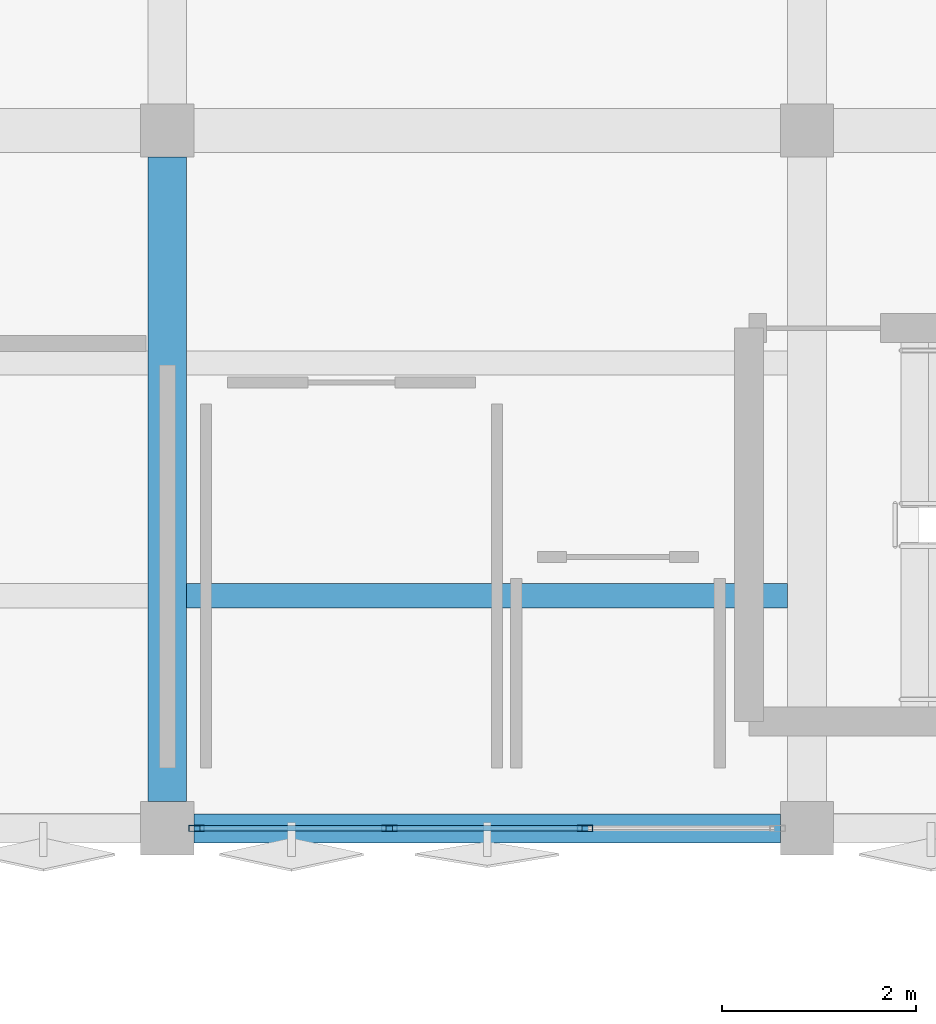
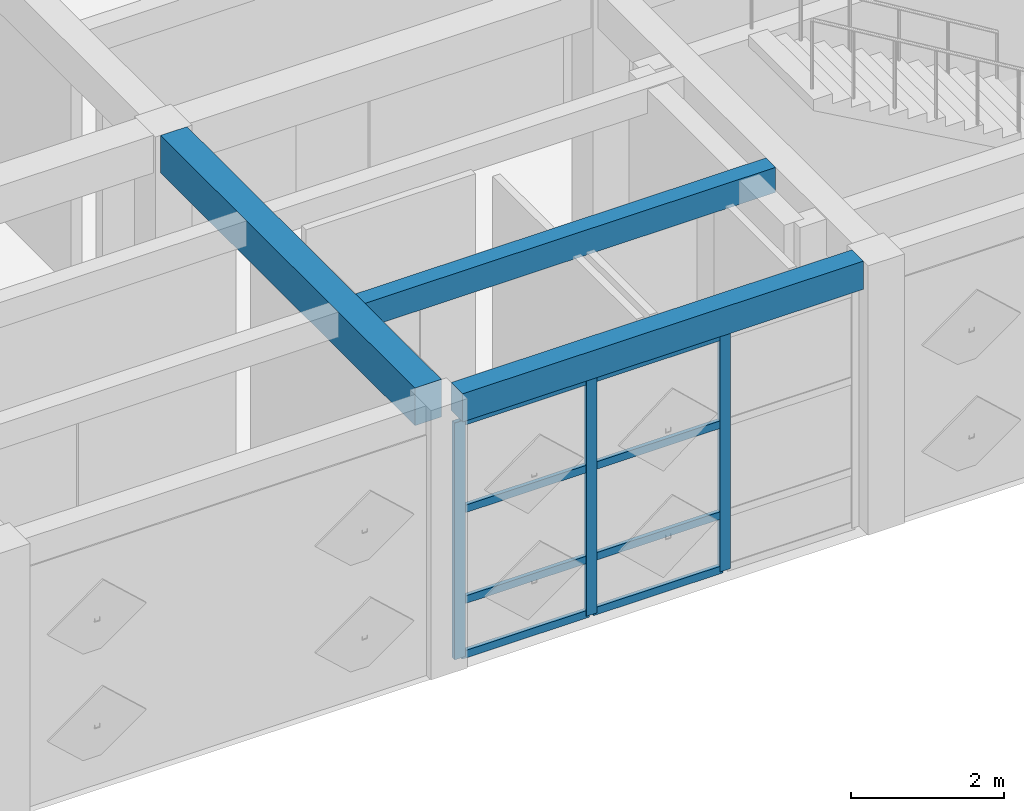
# One storey, part 12 of 36: 11 members, 3 beams, 1 element without a shape of its own.
"""IFC4 building model written with IfcOpenShell, lengths in metres."""

from ifc_helpers import new_model, si_unit, direction, frame, origin, origin_2d, place, context, subcontext, project, spatial, rectangle, hollow_rectangle, extrude, material, layer, layer_set, material_profile, profile_set, type_object, element, aggregate, save


model = new_model("IFC4")

# Units and contexts
model_context = context("Model", 3, precision=1e-05, world=origin(), true_north=direction((0.0, 1.0)))
body_context = subcontext(model_context, "Body", "Model", "MODEL_VIEW")
ifc_project = project(units=[si_unit("LENGTHUNIT", "METRE"), si_unit("AREAUNIT", "SQUARE_METRE"), si_unit("VOLUMEUNIT", "CUBIC_METRE"), si_unit("PLANEANGLEUNIT", "RADIAN"), si_unit("MASSUNIT", "GRAM", prefix="KILO")], contexts=[model_context])

# Site, building, storey
site_placement = place(None, origin())
site = spatial("IfcSite", under=ifc_project, at=site_placement, CompositionType="ELEMENT")
building_placement = place(site_placement, origin())
building = spatial("IfcBuilding", under=site, at=building_placement, Name="Kharisveld Research Institute", CompositionType="ELEMENT")
storey_placement = place(building_placement, frame((0.0, 0.0, 27.60009765625)))
storey = spatial("IfcBuildingStorey", under=building, at=storey_placement, Name="L06", CompositionType="ELEMENT", Elevation=27.60009765625)

# Beam
ifc_material_1 = material(Name="Concrete C40/50", Category="concrete")
ifc_material_profile_1 = material_profile(ifc_material_1, rectangle(XDim=0.39990234375, YDim=0.60009765625, at=origin_2d()))
ifc_profile_set_1 = profile_set([ifc_material_profile_1], Name="Concrete C40/50")
beam_type_1 = type_object("IfcBeamType", Name="BM_RC_400x600", PredefinedType="BEAM", material=ifc_profile_set_1)
beam_1_placement = place(storey_placement, frame((141.0, 39.47509765625, 4.0), z_axis=(0.0, 1.0, 0.0), x_axis=(-1.0, 0.0, 0.0)))
element("IfcBeam", 1, at=beam_1_placement, inside=storey, type_object=beam_type_1, Name="BM:V2:L06:V4_0", PredefinedType="BEAM", context=body_context, shape_type="SweptSolid", body=[
    extrude(rectangle(XDim=0.39990234375, YDim=0.60009765625, at=origin_2d()), origin(), (0.0, 0.0, 1.0), 6.64990234375),
])

# Curtain wall, members
ifc_material_2 = material(Name="Thermally Broken Aluminium Curtain Wall", Category="aluminium")
ifc_layer = layer(ifc_material_2, 0.159912109375)
ifc_layer_set = layer_set([ifc_layer], Name="CW_SYS_06")
curtain_wall_type = type_object("IfcCurtainWallType", Name="CW_SYS_06", PredefinedType="NOTDEFINED", material=ifc_layer_set)
curtain_wall_placement = place(storey_placement, origin())
curtain_wall = element("IfcCurtainWall", 2, at=curtain_wall_placement, inside=storey, type_object=curtain_wall_type, Name="CW:V2:L06:S5", PredefinedType="NOTDEFINED")
ifc_material_3 = material(Name="Anodised Aluminium AW-6063-T6", Category="aluminium")
ifc_material_profile_2 = material_profile(ifc_material_3, hollow_rectangle(XDim=0.06494140625, YDim=0.159912109375, WallThickness=0.00390625, at=origin_2d()))
ifc_profile_set_2 = profile_set([ifc_material_profile_2], Name="Anodised Aluminium AW-6063-T6")
member_type_1 = type_object("IfcMemberType", Name="CW_MUL_160", PredefinedType="MULLION", material=ifc_profile_set_2)
member_1_placement = place(storey_placement, frame((145.31005859375, 39.199951171875, 0.0), z_axis=(0.0, 0.0, 1.0), x_axis=(0.0, -1.0, 0.0)))
member_1 = element("IfcMember", 3, at=member_1_placement, type_object=member_type_1, Name="CW-06 mullion 2", PredefinedType="MULLION", context=body_context, shape_type="SweptSolid", body=[
    extrude(hollow_rectangle(XDim=0.06494140625, YDim=0.159912109375, WallThickness=0.00390625, at=origin_2d()), origin(), (0.0, 0.0, 1.0), 3.77978515625),
])
member_2_placement = place(storey_placement, frame((143.2900390625, 39.199951171875, 0.0), z_axis=(0.0, 0.0, 1.0), x_axis=(0.0, -1.0, 0.0)))
member_2 = element("IfcMember", 4, at=member_2_placement, type_object=member_type_1, Name="CW-06 mullion 3", PredefinedType="MULLION", context=body_context, shape_type="SweptSolid", body=[
    extrude(hollow_rectangle(XDim=0.06494140625, YDim=0.159912109375, WallThickness=0.00390625, at=origin_2d()), origin(), (0.0, 0.0, 1.0), 3.77978515625),
])
member_3_placement = place(storey_placement, frame((141.302490234375, 39.199951171875, 0.0), z_axis=(0.0, 0.0, 1.0), x_axis=(0.0, -1.0, 0.0)))
member_3 = element("IfcMember", 5, at=member_3_placement, type_object=member_type_1, Name="CW-06 mullion 4", PredefinedType="MULLION", context=body_context, shape_type="SweptSolid", body=[
    extrude(hollow_rectangle(XDim=0.06494140625, YDim=0.159912109375, WallThickness=0.00390625, at=origin_2d()), origin(), (0.0, 0.0, 1.0), 3.77978515625),
])
ifc_material_4 = material(Name="Anodised Aluminium AW-6063-T6", Category="aluminium")
ifc_material_profile_3 = material_profile(ifc_material_4, hollow_rectangle(XDim=0.06005859375, YDim=0.1201171875, WallThickness=0.00390625, at=origin_2d()))
ifc_profile_set_3 = profile_set([ifc_material_profile_3], Name="Anodised Aluminium AW-6063-T6")
member_type_2 = type_object("IfcMemberType", Name="CW_TRN_120", PredefinedType="USERDEFINED", material=ifc_profile_set_3)
member_4_placement = place(storey_placement, frame((145.277587890625, 39.199951171875, 0.02978515625), z_axis=(-1.0, 0.0, 0.0), x_axis=(0.0, -1.0, 0.0)))
member_4 = element("IfcMember", 6, at=member_4_placement, type_object=member_type_2, Name="CW-06 transom 2.1", ObjectType="TRANSOM", PredefinedType="USERDEFINED", context=body_context, shape_type="SweptSolid", body=[
    extrude(hollow_rectangle(XDim=0.06005859375, YDim=0.1201171875, WallThickness=0.00390625, at=origin_2d()), origin(), (0.0, 0.0, 1.0), 1.955078125),
])
member_5_placement = place(storey_placement, frame((145.277587890625, 39.199951171875, 0.89990234375), z_axis=(-1.0, 0.0, 0.0), x_axis=(0.0, -1.0, 0.0)))
member_5 = element("IfcMember", 7, at=member_5_placement, type_object=member_type_2, Name="CW-06 transom 2.2", ObjectType="TRANSOM", PredefinedType="USERDEFINED", context=body_context, shape_type="SweptSolid", body=[
    extrude(hollow_rectangle(XDim=0.06005859375, YDim=0.1201171875, WallThickness=0.00390625, at=origin_2d()), origin(), (0.0, 0.0, 1.0), 1.955078125),
])
member_6_placement = place(storey_placement, frame((145.277587890625, 39.199951171875, 2.349853515625), z_axis=(-1.0, 0.0, 0.0), x_axis=(0.0, -1.0, 0.0)))
member_6 = element("IfcMember", 8, at=member_6_placement, type_object=member_type_2, Name="CW-06 transom 2.3", ObjectType="TRANSOM", PredefinedType="USERDEFINED", context=body_context, shape_type="SweptSolid", body=[
    extrude(hollow_rectangle(XDim=0.06005859375, YDim=0.1201171875, WallThickness=0.00390625, at=origin_2d()), origin(), (0.0, 0.0, 1.0), 1.955078125),
])
member_7_placement = place(storey_placement, frame((145.277587890625, 39.199951171875, 3.75), z_axis=(-1.0, 0.0, 0.0), x_axis=(0.0, -1.0, 0.0)))
member_7 = element("IfcMember", 9, at=member_7_placement, type_object=member_type_2, Name="CW-06 transom 2.4", ObjectType="TRANSOM", PredefinedType="USERDEFINED", context=body_context, shape_type="SweptSolid", body=[
    extrude(hollow_rectangle(XDim=0.06005859375, YDim=0.1201171875, WallThickness=0.00390625, at=origin_2d()), origin(), (0.0, 0.0, 1.0), 1.955078125),
])
member_8_placement = place(storey_placement, frame((143.257568359375, 39.199951171875, 0.02978515625), z_axis=(-1.0, 0.0, 0.0), x_axis=(0.0, -1.0, 0.0)))
member_8 = element("IfcMember", 10, at=member_8_placement, type_object=member_type_2, Name="CW-06 transom 3.1", ObjectType="TRANSOM", PredefinedType="USERDEFINED", context=body_context, shape_type="SweptSolid", body=[
    extrude(hollow_rectangle(XDim=0.06005859375, YDim=0.1201171875, WallThickness=0.00390625, at=origin_2d()), origin(), (0.0, 0.0, 1.0), 1.922607421875),
])
member_9_placement = place(storey_placement, frame((143.257568359375, 39.199951171875, 0.89990234375), z_axis=(-1.0, 0.0, 0.0), x_axis=(0.0, -1.0, 0.0)))
member_9 = element("IfcMember", 11, at=member_9_placement, type_object=member_type_2, Name="CW-06 transom 3.2", ObjectType="TRANSOM", PredefinedType="USERDEFINED", context=body_context, shape_type="SweptSolid", body=[
    extrude(hollow_rectangle(XDim=0.06005859375, YDim=0.1201171875, WallThickness=0.00390625, at=origin_2d()), origin(), (0.0, 0.0, 1.0), 1.922607421875),
])
member_10_placement = place(storey_placement, frame((143.257568359375, 39.199951171875, 2.349853515625), z_axis=(-1.0, 0.0, 0.0), x_axis=(0.0, -1.0, 0.0)))
member_10 = element("IfcMember", 12, at=member_10_placement, type_object=member_type_2, Name="CW-06 transom 3.3", ObjectType="TRANSOM", PredefinedType="USERDEFINED", context=body_context, shape_type="SweptSolid", body=[
    extrude(hollow_rectangle(XDim=0.06005859375, YDim=0.1201171875, WallThickness=0.00390625, at=origin_2d()), origin(), (0.0, 0.0, 1.0), 1.922607421875),
])
member_11_placement = place(storey_placement, frame((143.257568359375, 39.199951171875, 3.75), z_axis=(-1.0, 0.0, 0.0), x_axis=(0.0, -1.0, 0.0)))
member_11 = element("IfcMember", 13, at=member_11_placement, type_object=member_type_2, Name="CW-06 transom 3.4", ObjectType="TRANSOM", PredefinedType="USERDEFINED", context=body_context, shape_type="SweptSolid", body=[
    extrude(hollow_rectangle(XDim=0.06005859375, YDim=0.1201171875, WallThickness=0.00390625, at=origin_2d()), origin(), (0.0, 0.0, 1.0), 1.922607421875),
])
aggregate(curtain_wall, [member_1, member_2, member_3, member_4, member_5, member_6, member_7, member_8, member_9, member_10, member_11])

# Beams
ifc_material_5 = material(Name="Concrete C40/50", Category="concrete")
ifc_material_profile_4 = material_profile(ifc_material_5, rectangle(XDim=0.300048828125, YDim=0.449951171875, at=origin_2d()))
ifc_profile_set_4 = profile_set([ifc_material_profile_4], Name="Concrete C40/50")
beam_type_2 = type_object("IfcBeamType", Name="SP_RC_300x450", PredefinedType="SPANDREL", material=ifc_profile_set_4)
beam_2_placement = place(storey_placement, frame((141.27490234375, 39.199951171875, 4.074951171875), z_axis=(1.0, 0.0, 0.0), x_axis=(0.0, 1.0, 0.0)))
element("IfcBeam", 14, at=beam_2_placement, inside=storey, type_object=beam_type_2, Name="BM:V2:L06:U4_0", PredefinedType="SPANDREL", context=body_context, shape_type="SweptSolid", body=[
    extrude(rectangle(XDim=0.300048828125, YDim=0.449951171875, at=origin_2d()), origin(), (0.0, 0.0, 1.0), 6.050048828125),
])
ifc_material_6 = material(Name="Concrete C40/50", Category="concrete")
ifc_material_profile_5 = material_profile(ifc_material_6, rectangle(XDim=0.25, YDim=0.39990234375, at=origin_2d()))
ifc_profile_set_5 = profile_set([ifc_material_profile_5], Name="Concrete C40/50")
beam_type_3 = type_object("IfcBeamType", Name="WB_RC_250x400", PredefinedType="JOIST", material=ifc_profile_set_5)
beam_3_placement = place(storey_placement, frame((141.199951171875, 41.60009765625, 4.099853515625), z_axis=(1.0, 0.0, 0.0), x_axis=(0.0, 1.0, 0.0)))
element("IfcBeam", 15, at=beam_3_placement, inside=storey, type_object=beam_type_3, Name="BM:V2:L06:J_4_0_R1", PredefinedType="JOIST", context=body_context, shape_type="SweptSolid", body=[
    extrude(rectangle(XDim=0.25, YDim=0.39990234375, at=origin_2d()), origin(), (0.0, 0.0, 1.0), 6.199951171875),
])

save(model, "model.ifc")
